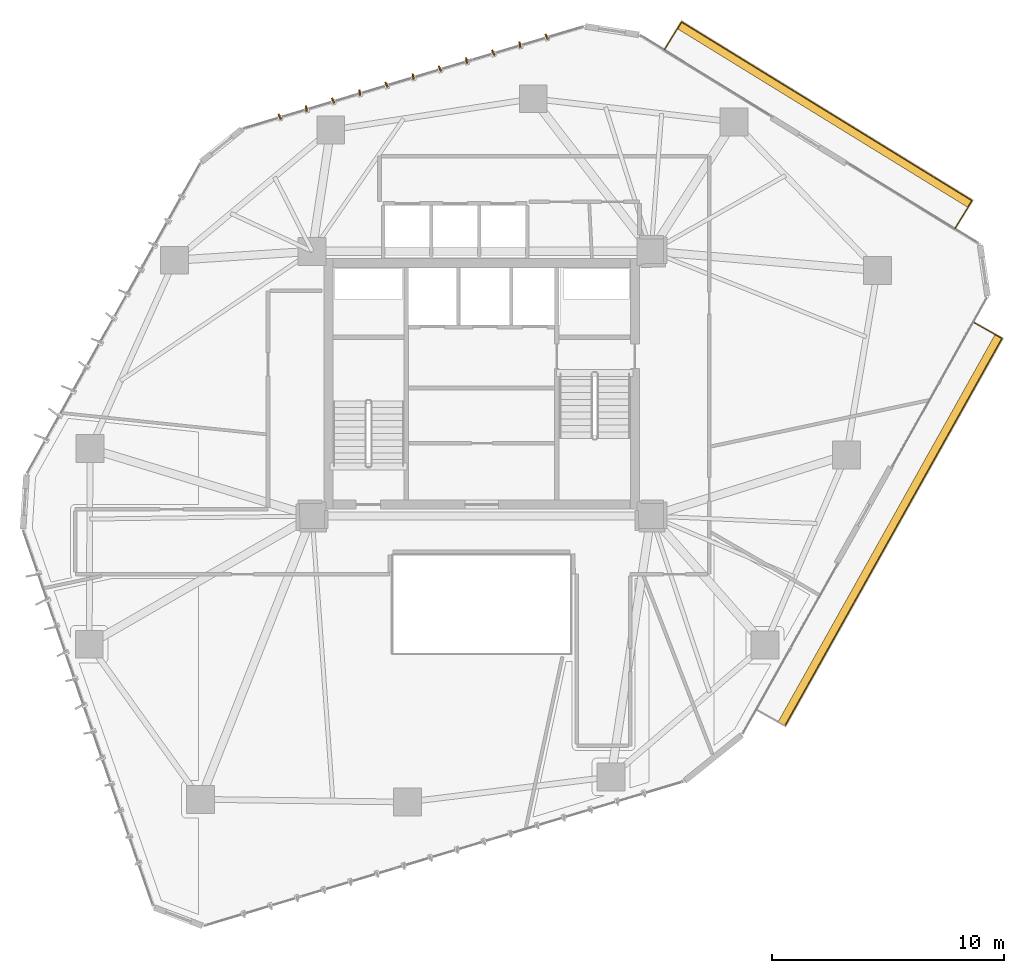
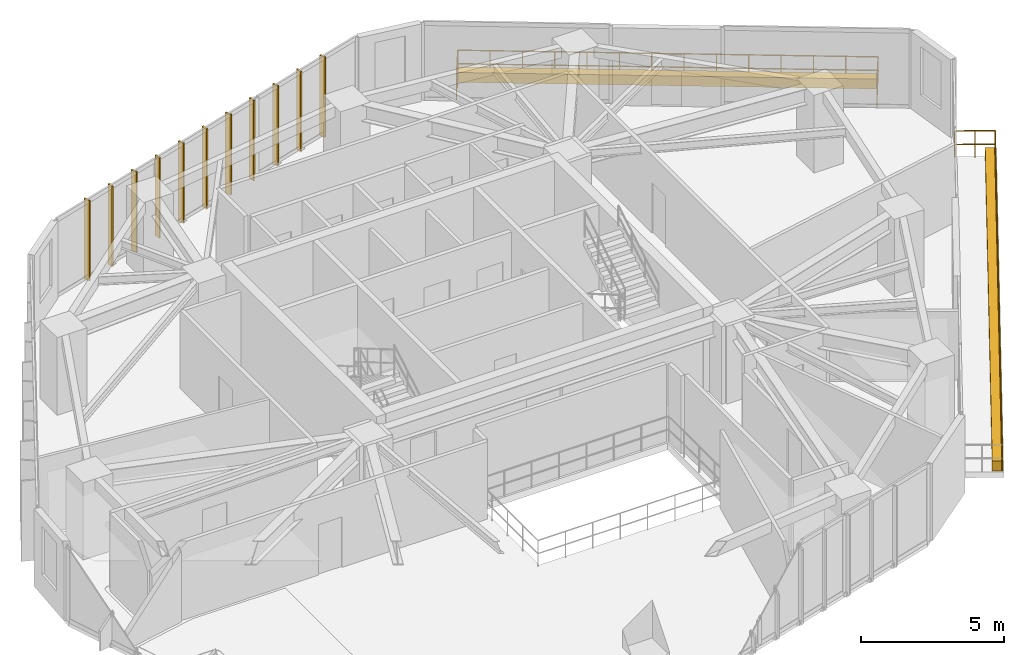
# One storey, part 21 of 21: 11 shading devices, 5 railings, 2 coverings.
"""IFC4 building model written with IfcOpenShell, lengths in metres."""

from ifc_helpers import new_model, si_unit, direction, frame, origin, origin_2d, place, context, subcontext, project, spatial, polyline, rectangle, circle, outline, extrude, source, transform, mapped, material, layer, layer_set, type_object, type_shapes, element, save


model = new_model("IFC4")

# Units and contexts
model_context = context("Model", 3, precision=1e-05, world=origin(), true_north=direction((0.0, 1.0)))
body_context = subcontext(model_context, "Body", "Model", "MODEL_VIEW")
ifc_project = project(units=[si_unit("LENGTHUNIT", "METRE"), si_unit("AREAUNIT", "SQUARE_METRE"), si_unit("VOLUMEUNIT", "CUBIC_METRE"), si_unit("PLANEANGLEUNIT", "RADIAN"), si_unit("MASSUNIT", "GRAM", prefix="KILO")], contexts=[model_context])

# Site, building, storey
site_placement = place(None, origin())
site = spatial("IfcSite", under=ifc_project, at=site_placement, CompositionType="ELEMENT")
building_placement = place(site_placement, origin())
building = spatial("IfcBuilding", under=site, at=building_placement, Name="Talar Marvaseh", CompositionType="ELEMENT")
storey_placement = place(building_placement, frame((0.0, 0.0, 139.800048828125)))
storey = spatial("IfcBuildingStorey", under=building, at=storey_placement, Name="L36", CompositionType="ELEMENT", Elevation=139.800048828125)

# Railings
ifc_material_1 = material(Name="Tempered Clear Glass", Category="glass")
railing_type = type_object("IfcRailingType", Name="External Laminated Glass Terrace Balustrade 1150", PredefinedType="BALUSTRADE", material=ifc_material_1)
railing_1_placement = place(storey_placement, frame((33.872314453125, 45.58349609375, 0.0)))
element("IfcRailing", 1, at=railing_1_placement, inside=storey, type_object=railing_type, Name="L36 External Terrace Balustrade 1 1", PredefinedType="BALUSTRADE", context=body_context, shape_type="SweptSolid", body=[
    extrude(circle(Radius=0.02392578125, at=origin_2d()), frame((0.0, 0.0, 1.1259765625), z_axis=(0.523962166191, 0.851741538497, 0.0), x_axis=(-0.851741538497, 0.523962166191, 0.0)), (0.0, 0.0, 1.0), 1.409912109375),
    extrude(circle(Radius=0.02392578125, at=origin_2d()), frame((0.0, 0.0, 0.55078125), z_axis=(0.523962166191, 0.851741538497, 0.0), x_axis=(-0.851741538497, 0.523962166191, 0.0)), (0.0, 0.0, 1.0), 1.409912109375),
    extrude(circle(Radius=0.02099609375, at=origin_2d()), origin(), (0.0, 0.0, 1.0), 1.101806640625),
    extrude(circle(Radius=0.02099609375, at=origin_2d()), frame((0.369384765625, 0.6005859375, 0.0)), (0.0, 0.0, 1.0), 1.101806640625),
    extrude(circle(Radius=0.02099609375, at=origin_2d()), frame((0.73876953125, 1.200927734375, 0.0)), (0.0, 0.0, 1.0), 1.101806640625),
])
railing_2_placement = place(storey_placement, frame((34.611083984375, 46.784423828125, 0.0)))
element("IfcRailing", 2, at=railing_2_placement, inside=storey, type_object=railing_type, Name="L36 External Terrace Balustrade 1 2", PredefinedType="BALUSTRADE", context=body_context, shape_type="SweptSolid", body=[
    extrude(circle(Radius=0.02392578125, at=origin_2d()), frame((0.0, 0.0, 1.1259765625), z_axis=(0.851767845822, -0.523919399167, 0.0), x_axis=(0.523919399167, 0.851767845822, 0.0)), (0.0, 0.0, 1.0), 14.691650390625),
    extrude(circle(Radius=0.02392578125, at=origin_2d()), frame((0.0, 0.0, 0.55078125), z_axis=(0.851767845822, -0.523919399167, 0.0), x_axis=(0.523919399167, 0.851767845822, 0.0)), (0.0, 0.0, 1.0), 14.691650390625),
    extrude(circle(Radius=0.02099609375, at=origin_2d()), origin(), (0.0, 0.0, 1.0), 1.101806640625),
    extrude(circle(Radius=0.02099609375, at=origin_2d()), frame((0.962646484375, -0.592041015625, 0.0)), (0.0, 0.0, 1.0), 1.101806640625),
    extrude(circle(Radius=0.02099609375, at=origin_2d()), frame((1.92529296875, -1.18408203125, 0.0)), (0.0, 0.0, 1.0), 1.101806640625),
    extrude(circle(Radius=0.02099609375, at=origin_2d()), frame((2.887939453125, -1.7763671875, 0.0)), (0.0, 0.0, 1.0), 1.101806640625),
    extrude(circle(Radius=0.02099609375, at=origin_2d()), frame((3.850341796875, -2.368408203125, 0.0)), (0.0, 0.0, 1.0), 1.101806640625),
    extrude(circle(Radius=0.02099609375, at=origin_2d()), frame((4.81298828125, -2.96044921875, 0.0)), (0.0, 0.0, 1.0), 1.101806640625),
    extrude(circle(Radius=0.02099609375, at=origin_2d()), frame((5.775634765625, -3.552490234375, 0.0)), (0.0, 0.0, 1.0), 1.101806640625),
    extrude(circle(Radius=0.02099609375, at=origin_2d()), frame((6.73828125, -4.144775390625, 0.0)), (0.0, 0.0, 1.0), 1.101806640625),
    extrude(circle(Radius=0.02099609375, at=origin_2d()), frame((7.700927734375, -4.73681640625, 0.0)), (0.0, 0.0, 1.0), 1.101806640625),
    extrude(circle(Radius=0.02099609375, at=origin_2d()), frame((8.66357421875, -5.328857421875, 0.0)), (0.0, 0.0, 1.0), 1.101806640625),
    extrude(circle(Radius=0.02099609375, at=origin_2d()), frame((9.6259765625, -5.9208984375, 0.0)), (0.0, 0.0, 1.0), 1.101806640625),
    extrude(circle(Radius=0.02099609375, at=origin_2d()), frame((10.588623046875, -6.51318359375, 0.0)), (0.0, 0.0, 1.0), 1.101806640625),
    extrude(circle(Radius=0.02099609375, at=origin_2d()), frame((11.55126953125, -7.105224609375, 0.0)), (0.0, 0.0, 1.0), 1.101806640625),
    extrude(circle(Radius=0.02099609375, at=origin_2d()), frame((12.513916015625, -7.697265625, 0.0)), (0.0, 0.0, 1.0), 1.101806640625),
])
railing_3_placement = place(storey_placement, frame((47.125, 39.087158203125, 0.0)))
element("IfcRailing", 3, at=railing_3_placement, inside=storey, type_object=railing_type, Name="L36 External Terrace Balustrade 1 3", PredefinedType="BALUSTRADE", context=body_context, shape_type="SweptSolid", body=[
    extrude(circle(Radius=0.02392578125, at=origin_2d()), frame((0.0, 0.0, 1.1259765625), z_axis=(-0.523962166191, -0.851741538497, 0.0), x_axis=(0.851741538497, -0.523962166191, 0.0)), (0.0, 0.0, 1.0), 1.409912109375),
    extrude(circle(Radius=0.02392578125, at=origin_2d()), frame((0.0, 0.0, 0.55078125), z_axis=(-0.523962166191, -0.851741538497, 0.0), x_axis=(0.851741538497, -0.523962166191, 0.0)), (0.0, 0.0, 1.0), 1.409912109375),
    extrude(circle(Radius=0.02099609375, at=origin_2d()), origin(), (0.0, 0.0, 1.0), 1.101806640625),
    extrude(circle(Radius=0.02099609375, at=origin_2d()), frame((-0.369384765625, -0.6005859375, 0.0)), (0.0, 0.0, 1.0), 1.101806640625),
    extrude(circle(Radius=0.02099609375, at=origin_2d()), frame((-0.73876953125, -1.200927734375, 0.0)), (0.0, 0.0, 1.0), 1.101806640625),
])
railing_4_placement = place(storey_placement, frame((47.188720703125, 33.84033203125, 0.0)))
element("IfcRailing", 4, at=railing_4_placement, inside=storey, type_object=railing_type, Name="L36 External Terrace Balustrade 2 1", PredefinedType="BALUSTRADE", context=body_context, shape_type="SweptSolid", body=[
    extrude(circle(Radius=0.02392578125, at=origin_2d()), frame((0.0, 0.0, 1.1259765625), z_axis=(0.872420384703, -0.48875625045, 0.0), x_axis=(0.48875625045, 0.872420384703, 0.0)), (0.0, 0.0, 1.0), 1.41015625),
    extrude(circle(Radius=0.02392578125, at=origin_2d()), frame((0.0, 0.0, 0.55078125), z_axis=(0.872420384703, -0.48875625045, 0.0), x_axis=(0.48875625045, 0.872420384703, 0.0)), (0.0, 0.0, 1.0), 1.41015625),
    extrude(circle(Radius=0.02099609375, at=origin_2d()), origin(), (0.0, 0.0, 1.0), 1.101806640625),
    extrude(circle(Radius=0.02099609375, at=origin_2d()), frame((0.615234375, -0.3447265625, 0.0)), (0.0, 0.0, 1.0), 1.101806640625),
    extrude(circle(Radius=0.02099609375, at=origin_2d()), frame((1.230224609375, -0.689208984375, 0.0)), (0.0, 0.0, 1.0), 1.101806640625),
])
railing_5_placement = place(storey_placement, frame((48.4189453125, 33.151123046875, 0.0)))
element("IfcRailing", 5, at=railing_5_placement, inside=storey, type_object=railing_type, Name="L36 External Terrace Balustrade 2 2", PredefinedType="BALUSTRADE", context=body_context, shape_type="SweptSolid", body=[
    extrude(circle(Radius=0.02392578125, at=origin_2d()), frame((0.0, 0.0, 1.1259765625), z_axis=(-0.488759296181, -0.872418678386, 0.0), x_axis=(0.872418678386, -0.488759296181, 0.0)), (0.0, 0.0, 1.0), 19.11767578125),
    extrude(circle(Radius=0.02392578125, at=origin_2d()), frame((0.0, 0.0, 0.55078125), z_axis=(-0.488759296181, -0.872418678386, 0.0), x_axis=(0.872418678386, -0.488759296181, 0.0)), (0.0, 0.0, 1.0), 19.11767578125),
    extrude(circle(Radius=0.02099609375, at=origin_2d()), origin(), (0.0, 0.0, 1.0), 1.101806640625),
    extrude(circle(Radius=0.02099609375, at=origin_2d()), frame((-0.583984375, -1.04248046875, 0.0)), (0.0, 0.0, 1.0), 1.101806640625),
    extrude(circle(Radius=0.02099609375, at=origin_2d()), frame((-1.16796875, -2.0849609375, 0.0)), (0.0, 0.0, 1.0), 1.101806640625),
    extrude(circle(Radius=0.02099609375, at=origin_2d()), frame((-1.751953125, -3.127197265625, 0.0)), (0.0, 0.0, 1.0), 1.101806640625),
    extrude(circle(Radius=0.02099609375, at=origin_2d()), frame((-2.3359375, -4.169677734375, 0.0)), (0.0, 0.0, 1.0), 1.101806640625),
    extrude(circle(Radius=0.02099609375, at=origin_2d()), frame((-2.919921875, -5.212158203125, 0.0)), (0.0, 0.0, 1.0), 1.101806640625),
    extrude(circle(Radius=0.02099609375, at=origin_2d()), frame((-3.50390625, -6.25439453125, 0.0)), (0.0, 0.0, 1.0), 1.101806640625),
    extrude(circle(Radius=0.02099609375, at=origin_2d()), frame((-4.087890625, -7.296875, 0.0)), (0.0, 0.0, 1.0), 1.101806640625),
    extrude(circle(Radius=0.02099609375, at=origin_2d()), frame((-4.671875, -8.33935546875, 0.0)), (0.0, 0.0, 1.0), 1.101806640625),
    extrude(circle(Radius=0.02099609375, at=origin_2d()), frame((-5.256103515625, -9.3818359375, 0.0)), (0.0, 0.0, 1.0), 1.101806640625),
    extrude(circle(Radius=0.02099609375, at=origin_2d()), frame((-5.840087890625, -10.42431640625, 0.0)), (0.0, 0.0, 1.0), 1.101806640625),
    extrude(circle(Radius=0.02099609375, at=origin_2d()), frame((-6.424072265625, -11.466552734375, 0.0)), (0.0, 0.0, 1.0), 1.101806640625),
    extrude(circle(Radius=0.02099609375, at=origin_2d()), frame((-7.008056640625, -12.509033203125, 0.0)), (0.0, 0.0, 1.0), 1.101806640625),
    extrude(circle(Radius=0.02099609375, at=origin_2d()), frame((-7.592041015625, -13.551513671875, 0.0)), (0.0, 0.0, 1.0), 1.101806640625),
    extrude(circle(Radius=0.02099609375, at=origin_2d()), frame((-8.176025390625, -14.59375, 0.0)), (0.0, 0.0, 1.0), 1.101806640625),
    extrude(circle(Radius=0.02099609375, at=origin_2d()), frame((-8.760009765625, -15.63623046875, 0.0)), (0.0, 0.0, 1.0), 1.101806640625),
    extrude(circle(Radius=0.02099609375, at=origin_2d()), frame((-9.343994140625, -16.6787109375, 0.0)), (0.0, 0.0, 1.0), 1.101806640625),
])

# Coverings
ifc_material_2 = material(Name="Planted Terrace Vegetated Substrate")
ifc_layer_1 = layer(ifc_material_2, 0.39990234375)
ifc_layer_set_1 = layer_set([ifc_layer_1], Name="Planted Terrace Vegetated Substrate")
covering_type = type_object("IfcCoveringType", Name="Planted Terrace Soil Planter Box Cladding", PredefinedType="CLADDING", material=ifc_layer_set_1)
covering_1_placement = place(storey_placement, origin())
element("IfcCovering", 6, at=covering_1_placement, inside=storey, type_object=covering_type, Name="L36 Balcony Structural Planter 1", PredefinedType="CLADDING", context=body_context, shape_type="SweptSolid", body=[
    extrude(outline(polyline([(34.611083984375, 46.784423828125), (47.125, 39.087158203125), (46.941650390625, 38.7890625), (34.427734375, 46.486328125), (34.611083984375, 46.784423828125)])), origin(), (0.0, 0.0, 1.0), 0.419921875),
])
covering_2_placement = place(storey_placement, origin())
element("IfcCovering", 7, at=covering_2_placement, inside=storey, type_object=covering_type, Name="L36 Balcony Structural Planter 2", PredefinedType="CLADDING", context=body_context, shape_type="SweptSolid", body=[
    extrude(outline(polyline([(48.4189453125, 33.151123046875), (39.074951171875, 16.472412109375), (38.76953125, 16.6435546875), (48.113525390625, 33.322265625), (48.4189453125, 33.151123046875)])), origin(), (0.0, 0.0, 1.0), 0.419921875),
])

# Shading devices
ifc_material_3 = material(Name="Anodised Champagne Bronze Aluminium", Category="aluminium")
ifc_layer_2 = layer(ifc_material_3, 0.06494140625)
ifc_layer_set_2 = layer_set([ifc_layer_2], Name="Anodised Champagne Bronze Aluminium")
shading_device_type = type_object("IfcShadingDeviceType", Name="Sawtooth Champagne Bronze Vertical Fin 240", PredefinedType="USERDEFINED", material=ifc_layer_set_2)
shared_shape = source(origin(), body_context, "Body", "SweptSolid", [
    extrude(rectangle(XDim=0.239990234375, YDim=0.06494140625, at=origin_2d()), origin(), (0.0, 0.0, 1.0), 3.429931640625),
])
type_shapes(shading_device_type, [shared_shape])
for number, where, z_axis, x_axis, name in (
    (8, (17.30419921875, 42.70068359375, -0.1201171875), (0.0, 0.0, 1.0), (-0.41754991917, 0.9086539853, 0.0), "L36 Sawtooth Vertical Solar Fin"),
    (9, (18.453857421875, 43.045166015625, -0.1201171875), (0.0, 0.0, 1.0), (-0.15091576158, 0.988546626572, 0.0), "L36 Sawtooth Vertical Solar Fin"),
    (10, (19.603271484375, 43.3896484375, -0.1201171875), (0.0, 0.0, 1.0), (-0.41754991917, 0.9086539853, 0.0), "L36 Sawtooth Vertical Solar Fin"),
    (11, (20.752685546875, 43.734130859375, -0.1201171875), (0.0, 0.0, 1.0), (-0.15091576158, 0.988546626572, 0.0), "L36 Sawtooth Vertical Solar Fin"),
    (12, (21.90234375, 44.07861328125, -0.1201171875), (0.0, 0.0, 1.0), (-0.41754991917, 0.9086539853, 0.0), "L36 Sawtooth Vertical Solar Fin"),
    (13, (23.0517578125, 44.423095703125, -0.1201171875), (0.0, 0.0, 1.0), (-0.15091576158, 0.988546626572, 0.0), "L36 Sawtooth Vertical Solar Fin"),
    (14, (24.201416015625, 44.767578125, -0.1201171875), (0.0, 0.0, 1.0), (-0.41754991917, 0.9086539853, 0.0), "L36 Sawtooth Vertical Solar Fin"),
    (15, (25.3505859375, 45.112060546875, -0.1201171875), (0.0, 0.0, 1.0), (-0.15091576158, 0.988546626572, 0.0), "L36 Sawtooth Vertical Solar Fin"),
    (16, (26.500244140625, 45.45654296875, -0.1201171875), (0.0, 0.0, 1.0), (-0.41754991917, 0.9086539853, 0.0), "L36 Sawtooth Vertical Solar Fin"),
    (17, (27.649658203125, 45.801025390625, -0.1201171875), (0.0, 0.0, 1.0), (-0.15091576158, 0.988546626572, 0.0), "L36 Sawtooth Vertical Solar Fin"),
    (18, (28.79931640625, 46.1455078125, -0.1201171875), (0.0, 0.0, 1.0), (-0.41754991917, 0.9086539853, 0.0), "L36 Sawtooth Vertical Solar Fin"),
):
    element("IfcShadingDevice", number, at=place(storey_placement, frame(where, z_axis=z_axis, x_axis=x_axis)), inside=storey, type_object=shading_device_type, Name=name, ObjectType="FIN", PredefinedType="USERDEFINED", context=body_context, shape_type="MappedRepresentation", body=[
        mapped(shared_shape, transform((0.0, 0.0, 0.0), x_axis=(1.0, 0.0, 0.0), y_axis=(0.0, 1.0, 0.0), z_axis=(0.0, 0.0, 1.0), scale=1.0)),
    ])

save(model, "model.ifc")
